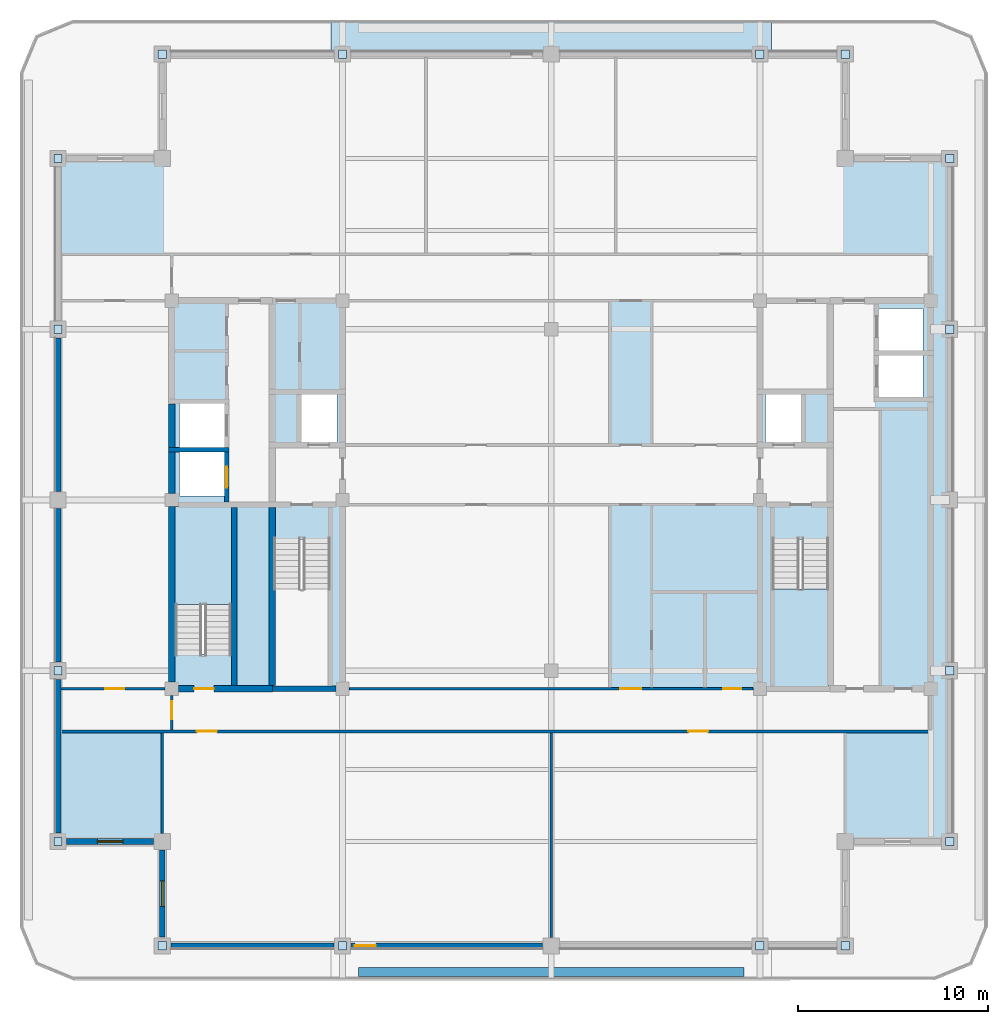
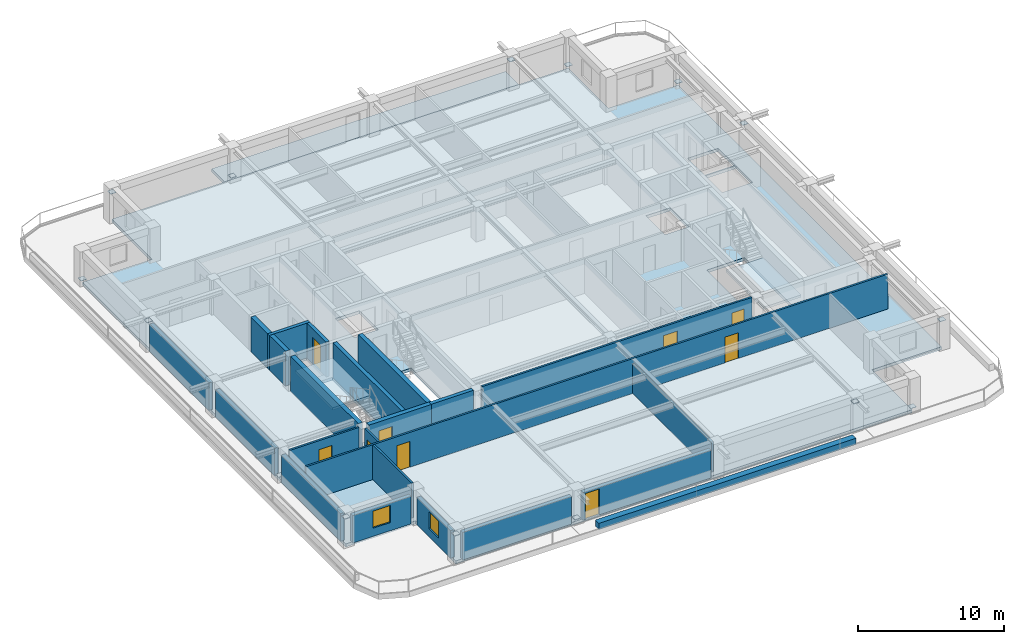
# One storey, part 2 of 10: 23 walls, 16 plates, 9 doors, 4 slabs, 2 windows, 11 openings, 2 elements without a shape of their own.
"""IFC4 building model written with IfcOpenShell, lengths in metres."""

from ifc_helpers import new_model, si_unit, direction, frame, frame_2d, origin, origin_2d, place, context, subcontext, project, spatial, polyline, rectangle, outline, extrude, material, layer, layer_set, type_object, element, fill, aggregate, save


model = new_model("IFC4")

# Units and contexts
model_context = context("Model", 3, precision=1e-05, world=origin(), true_north=direction((0.0, 1.0)))
body_context = subcontext(model_context, "Body", "Model", "MODEL_VIEW")
ifc_project = project(units=[si_unit("LENGTHUNIT", "METRE"), si_unit("AREAUNIT", "SQUARE_METRE"), si_unit("VOLUMEUNIT", "CUBIC_METRE"), si_unit("PLANEANGLEUNIT", "RADIAN"), si_unit("MASSUNIT", "GRAM", prefix="KILO")], contexts=[model_context])

# Site, building, storey
site_placement = place(None, origin())
site = spatial("IfcSite", under=ifc_project, at=site_placement, CompositionType="ELEMENT")
building_placement = place(site_placement, origin())
building = spatial("IfcBuilding", under=site, at=building_placement, Name="Zulmaris Gate Convention Tower", CompositionType="ELEMENT")
storey_placement = place(building_placement, frame((0.0, 0.0, 267.35009765625)))
storey = spatial("IfcBuildingStorey", under=building, at=storey_placement, Name="L71", CompositionType="ELEMENT", Elevation=267.35009765625)

# Plates
ifc_material_1 = material(Name="Steel S460", Category="steel")
ifc_layer_1 = layer(ifc_material_1, 0.02490234375, Name="Steel S460")
ifc_layer_set_1 = layer_set([ifc_layer_1], Name="Steel S460")
plate_type = type_object("IfcPlateType", Name="NP-CAP-440", PredefinedType="USERDEFINED", material=ifc_layer_set_1)
for number, where, z_axis, x_axis, name in (
    (1, (-26.0, -9.0, 0.28759765625), (0.0, 0.0, 1.0), (1.0, 0.0, 0.0), "L71 Steel Node Plate PBR-L71-SW-W-CAP"),
    (2, (-26.0, -18.0, 2.2724609375), (0.0, 0.0, 1.0), (1.0, 0.0, 0.0), "L71 Steel Node Plate PBR-L71-SW-W-CAPB"),
    (3, (-26.0, 18.0, 0.28759765625), (0.0, 0.0, 1.0), (1.0, 0.0, 0.0), "L71 Steel Node Plate PBR-L71-NW-W-CAP"),
    (4, (-26.0, 9.0, 2.2724609375), (0.0, 0.0, 1.0), (1.0, 0.0, 0.0), "L71 Steel Node Plate PBR-L71-NW-W-CAPB"),
    (5, (21.0, -9.0, 0.28759765625), (0.0, 0.0, 1.0), (1.0, 0.0, 0.0), "L71 Steel Node Plate PBR-L71-SE-E-CAP"),
    (6, (21.0, -18.0, 2.2724609375), (0.0, 0.0, 1.0), (1.0, 0.0, 0.0), "L71 Steel Node Plate PBR-L71-SE-E-CAPB"),
    (7, (21.0, 18.0, 0.28759765625), (0.0, 0.0, 1.0), (1.0, 0.0, 0.0), "L71 Steel Node Plate PBR-L71-NE-E-CAP"),
    (8, (21.0, 9.0, 2.2724609375), (0.0, 0.0, 1.0), (1.0, 0.0, 0.0), "L71 Steel Node Plate PBR-L71-NE-E-CAPB"),
    (9, (-11.0, -23.5, 0.28759765625), (0.0, 0.0, 1.0), (1.0, 0.0, 0.0), "L71 Steel Node Plate PBR-L71-SW-S-CAP"),
    (10, (-20.5, -23.5, 2.2724609375), (0.0, 0.0, 1.0), (1.0, 0.0, 0.0), "L71 Steel Node Plate PBR-L71-SW-S-CAPB"),
    (11, (15.5, -23.5, 0.28759765625), (0.0, 0.0, 1.0), (1.0, 0.0, 0.0), "L71 Steel Node Plate PBR-L71-SE-S-CAP"),
    (12, (11.0, -23.5, 2.2724609375), (0.0, 0.0, 1.0), (1.0, 0.0, 0.0), "L71 Steel Node Plate PBR-L71-SE-S-CAPB"),
    (13, (-11.0, 23.5, 0.28759765625), (0.0, 0.0, 1.0), (1.0, 0.0, 0.0), "L71 Steel Node Plate PBR-L71-NW-N-CAP"),
    (14, (-20.5, 23.5, 2.2724609375), (0.0, 0.0, 1.0), (1.0, 0.0, 0.0), "L71 Steel Node Plate PBR-L71-NW-N-CAPB"),
    (15, (15.5, 23.5, 0.28759765625), (0.0, 0.0, 1.0), (1.0, 0.0, 0.0), "L71 Steel Node Plate PBR-L71-NE-N-CAP"),
    (16, (11.0, 23.5, 2.2724609375), (0.0, 0.0, 1.0), (1.0, 0.0, 0.0), "L71 Steel Node Plate PBR-L71-NE-N-CAPB"),
):
    element("IfcPlate", number, at=place(storey_placement, frame(where, z_axis=z_axis, x_axis=x_axis)), inside=storey, type_object=plate_type, Name=name, ObjectType="FLANGE PLATE", PredefinedType="USERDEFINED", context=body_context, shape_type="SweptSolid", body=[
        extrude(rectangle(XDim=0.43994140625, YDim=0.43994140625, at=origin_2d()), origin(), (0.0, 0.0, 1.0), 0.02490234375),
    ])

# Slabs
ifc_material_2 = material(Name="Precast concrete C50/60", Category="concrete")
ifc_layer_2 = layer(ifc_material_2, 0.239990234375, Name="Precast concrete C50/60")
ifc_layer_set_2 = layer_set([ifc_layer_2], Name="Precast concrete C50/60")
slab_type_1 = type_object("IfcSlabType", Name="SL-BAL-240", PredefinedType="FLOOR", material=ifc_layer_set_2)
slab_1_placement = place(storey_placement, frame((0.0, 0.0, -0.25)))
element("IfcSlab", 17, at=slab_1_placement, inside=storey, type_object=slab_type_1, Name="L71 North Tree-Balcony Planter Slab", PredefinedType="FLOOR", context=body_context, shape_type="SweptSolid", body=[
    extrude(outline(polyline([(11.597900390625, 25.300048828125), (11.597900390625, 23.5), (-11.597900390625, 23.5), (-11.597900390625, 25.300048828125), (11.597900390625, 25.300048828125)])), origin(), (0.0, 0.0, 1.0), 0.239990234375),
])
ifc_material_3 = material(Name="Concrete C50/60", Category="concrete")
ifc_layer_3 = layer(ifc_material_3, 0.25, Name="Concrete C50/60")
ifc_layer_set_3 = layer_set([ifc_layer_3], Name="Concrete C50/60")
slab_type_2 = type_object("IfcSlabType", Name="SL-FLR-250", PredefinedType="FLOOR", material=ifc_layer_set_3)
slab_2_placement = place(storey_placement, frame((0.0, 0.0, -0.25)))
element("IfcSlab", 18, at=slab_2_placement, inside=storey, type_object=slab_type_2, Name="L71 Shifted Notched-Square Structural Floor Slab", PredefinedType="FLOOR", context=body_context, shape_type="SweptSolid", body=[
    extrude(outline(polyline([(-20.5, -23.5), (15.5, -23.5), (15.5, -18.0), (21.0, -18.0), (21.0, 18.0), (15.5, 18.0), (15.5, 23.5), (-20.5, 23.5), (-20.5, 18.0), (-26.0, 18.0), (-26.0, -18.0), (-20.5, -18.0), (-20.5, -23.5)]), holes=[polyline([(-14.6201171875, -2.080078125), (-14.6201171875, -9.85009765625), (-11.659912109375, -9.85009765625), (-11.659912109375, -2.080078125), (-14.6201171875, -2.080078125)]), polyline([(11.659912109375, -2.080078125), (11.659912109375, -9.85009765625), (14.6201171875, -9.85009765625), (14.6201171875, -2.080078125), (11.659912109375, -2.080078125)]), polyline([(-16.860107421875, -8.1201171875), (-16.860107421875, -0.35009765625), (-19.820068359375, -0.35009765625), (-19.820068359375, -8.1201171875), (-16.860107421875, -8.1201171875)]), polyline([(-13.199951171875, 3.0), (-11.300048828125, 3.0), (-11.300048828125, 5.60009765625), (-13.199951171875, 5.60009765625), (-13.199951171875, 3.0)]), polyline([(11.300048828125, 3.0), (13.199951171875, 3.0), (13.199951171875, 5.60009765625), (11.300048828125, 5.60009765625), (11.300048828125, 3.0)]), polyline([(17.199951171875, 5.39990234375), (19.60009765625, 5.39990234375), (19.60009765625, 7.699951171875), (17.199951171875, 7.699951171875), (17.199951171875, 5.39990234375)]), polyline([(17.199951171875, 7.800048828125), (19.60009765625, 7.800048828125), (19.60009765625, 10.10009765625), (17.199951171875, 10.10009765625), (17.199951171875, 7.800048828125)]), polyline([(-19.60009765625, 0.199951171875), (-17.199951171875, 0.199951171875), (-17.199951171875, 2.60009765625), (-19.60009765625, 2.60009765625), (-19.60009765625, 0.199951171875)]), polyline([(-19.60009765625, 2.699951171875), (-17.199951171875, 2.699951171875), (-17.199951171875, 5.10009765625), (-19.60009765625, 5.10009765625), (-19.60009765625, 2.699951171875)])]), origin(), (0.0, 0.0, 1.0), 0.25),
])

# Stair, slab
ifc_material_4 = material(Name="Concrete C45/55", Category="concrete")
stair_type = type_object("IfcStairType", Name="ST-CORE-DOGLEG", PredefinedType="HALF_TURN_STAIR", material=ifc_material_4)
stair_1_placement = place(storey_placement, origin())
stair_1 = element("IfcStair", 19, at=stair_1_placement, inside=storey, type_object=stair_type, Name="L71 Core Exit Stair ST-2", PredefinedType="HALF_TURN_STAIR")
ifc_layer_4 = layer(ifc_material_4, 0.199951171875, Name="Concrete C45/55")
ifc_layer_set_4 = layer_set([ifc_layer_4], Name="Concrete C45/55")
slab_type_3 = type_object("IfcSlabType", Name="SL-LND-200", PredefinedType="LANDING", material=ifc_layer_set_4)
slab_3_placement = place(storey_placement, frame((0.0, 0.0, 1.4150390625)))
slab_3 = element("IfcSlab", 20, at=slab_3_placement, type_object=slab_type_3, Name="ST-2 landing 1", PredefinedType="LANDING", context=body_context, shape_type="SweptSolid", body=[
    extrude(outline(polyline([(11.659912109375, -4.699951171875), (11.659912109375, -9.85009765625), (14.6201171875, -9.85009765625), (14.6201171875, -4.699951171875), (11.659912109375, -4.699951171875)])), origin(), (0.0, 0.0, 1.0), 0.199951171875),
])
aggregate(stair_1, [slab_3])

stair_2_placement = place(storey_placement, origin())
stair_2 = element("IfcStair", 21, at=stair_2_placement, inside=storey, type_object=stair_type, Name="L71 Core Exit Stair ST-3", PredefinedType="HALF_TURN_STAIR")
slab_4_placement = place(storey_placement, frame((0.0, 0.0, 1.4150390625)))
slab_4 = element("IfcSlab", 22, at=slab_4_placement, type_object=slab_type_3, Name="ST-3 landing 1", PredefinedType="LANDING", context=body_context, shape_type="SweptSolid", body=[
    extrude(outline(polyline([(-16.860107421875, -5.5), (-16.860107421875, -0.35009765625), (-19.820068359375, -0.35009765625), (-19.820068359375, -5.5), (-16.860107421875, -5.5)])), origin(), (0.0, 0.0, 1.0), 0.199951171875),
])
aggregate(stair_2, [slab_4])

# Wall
ifc_layer_5 = layer(ifc_material_3, 0.25, Name="Concrete C50/60")
ifc_layer_set_5 = layer_set([ifc_layer_5], Name="Concrete C50/60")
wall_type_1 = type_object("IfcWallType", Name="CORE-250", PredefinedType="SOLIDWALL", material=ifc_layer_set_5)
wall_1_placement = place(storey_placement, frame((-20.175048828125, 2.64990234375, 0.0), z_axis=(0.0, 0.0, 1.0), x_axis=(1.0, 0.0, 0.0)))
element("IfcWall", 23, at=wall_1_placement, inside=storey, type_object=wall_type_1, Name="WL-L71-007", PredefinedType="SOLIDWALL", context=body_context, shape_type="SweptSolid", body=[
    extrude(rectangle(XDim=3.199951171875, YDim=0.25, at=frame_2d((1.60009765625, 0.0))), origin(), (0.0, 0.0, 1.0), 2.905029296875),
])

# Wall, opening, door
wall_2_placement = place(storey_placement, frame((-17.10009765625, -0.097900390625, 0.0), z_axis=(0.0, 0.0, 1.0), x_axis=(0.0, 1.0, 0.0)))
wall_2 = element("IfcWall", 24, at=wall_2_placement, inside=storey, type_object=wall_type_1, Name="WL-L71-034", PredefinedType="SOLIDWALL", context=body_context, shape_type="SweptSolid", body=[
    extrude(rectangle(XDim=2.620849609375, YDim=0.25, at=frame_2d((1.310546875, 0.0))), origin(), (0.0, 0.0, 1.0), 2.905029296875),
])
opening_1_placement = place(wall_2_placement, frame((0.748046875, 0.0, 0.0)))
opening_1 = element("IfcOpeningElement", 25, at=opening_1_placement, cuts=wall_2, Name="Opening D-06", PredefinedType="OPENING", context=body_context, shape_type="SweptSolid", body=[
    extrude(rectangle(XDim=1.10009765625, YDim=2.199951171875, at=frame_2d((0.550048828125, 1.10009765625))), frame((0.0, 0.135009765625, 0.0), z_axis=(0.0, -1.0, 0.0), x_axis=(1.0, 0.0, 0.0)), (0.0, 0.0, 1.0), 0.27001953125),
])
ifc_material_5 = material(Name="Brushed Stainless Steel", Category="steel")
door_type_1 = type_object("IfcDoorType", Name="LD-1100", OperationType="NOTDEFINED", PredefinedType="DOOR", material=ifc_material_5)
door_1_placement = place(opening_1_placement, origin())
door_1 = element("IfcDoor", 26, at=door_1_placement, inside=storey, type_object=door_type_1, Name="L71 Lift Landing Door HP-03 11", OperationType="SLIDING_TO_LEFT", OverallHeight=2.199951171875, OverallWidth=1.10009765625, PredefinedType="DOOR", context=body_context, shape_type="SweptSolid", body=[
    extrude(rectangle(XDim=1.10009765625, YDim=2.199951171875, at=frame_2d((0.550048828125, 1.10009765625))), frame((0.0, 0.02490234375, 0.0), z_axis=(0.0, -1.0, 0.0), x_axis=(1.0, 0.0, 0.0)), (0.0, 0.0, 1.0), 0.050048828125),
])
fill(opening_1, door_1)

# Walls
ifc_layer_6 = layer(ifc_material_3, 0.300048828125, Name="Concrete C50/60")
ifc_layer_set_6 = layer_set([ifc_layer_6], Name="Concrete C50/60")
wall_type_2 = type_object("IfcWallType", Name="CORE-300", PredefinedType="SHEAR", material=ifc_layer_set_6)
wall_3_placement = place(storey_placement, frame((-14.699951171875, -9.949951171875, 0.0), z_axis=(0.0, 0.0, 1.0), x_axis=(1.0, 0.0, 0.0)))
element("IfcWall", 27, at=wall_3_placement, inside=storey, type_object=wall_type_2, Name="WL-L71-002", PredefinedType="SHEAR", context=body_context, shape_type="SweptSolid", body=[
    extrude(rectangle(XDim=3.345947265625, YDim=0.300048828125, at=frame_2d((1.6728515625, 0.0))), origin(), (0.0, 0.0, 1.0), 2.905029296875),
])
wall_4_placement = place(storey_placement, frame((-16.699951171875, -9.77294921875, 0.0), z_axis=(0.0, 0.0, 1.0), x_axis=(0.0, 1.0, 0.0)))
element("IfcWall", 28, at=wall_4_placement, inside=storey, type_object=wall_type_2, Name="WL-L71-036", PredefinedType="SHEAR", context=body_context, shape_type="SweptSolid", body=[
    extrude(rectangle(XDim=9.370849609375, YDim=0.300048828125, at=frame_2d((4.685546875, 0.0))), origin(), (0.0, 0.0, 1.0), 2.905029296875),
])

# Wall, opening, door
ifc_material_6 = material(Name="Concrete C55/67", Category="concrete")
ifc_layer_7 = layer(ifc_material_6, 0.35009765625, Name="Concrete C55/67")
ifc_layer_set_7 = layer_set([ifc_layer_7], Name="Concrete C55/67")
wall_type_3 = type_object("IfcWallType", Name="CORE-350", PredefinedType="SHEAR", material=ifc_layer_set_7)
wall_5_placement = place(storey_placement, frame((-19.64599609375, -9.949951171875, 0.0), z_axis=(0.0, 0.0, 1.0), x_axis=(1.0, 0.0, 0.0)))
wall_5 = element("IfcWall", 29, at=wall_5_placement, inside=storey, type_object=wall_type_3, Name="WL-L71-001", PredefinedType="SHEAR", context=body_context, shape_type="SweptSolid", body=[
    extrude(rectangle(XDim=4.946044921875, YDim=0.35009765625, at=frame_2d((2.47314453125, 0.0))), origin(), (0.0, 0.0, 1.0), 2.905029296875),
])
opening_2_placement = place(wall_5_placement, frame((0.821044921875, 0.0, 0.0)))
opening_2 = element("IfcOpeningElement", 30, at=opening_2_placement, cuts=wall_5, Name="Opening D-09", PredefinedType="OPENING", context=body_context, shape_type="SweptSolid", body=[
    extrude(rectangle(XDim=1.050048828125, YDim=2.14990234375, at=frame_2d((0.52490234375, 1.074951171875))), frame((0.0, 0.18505859375, 0.0), z_axis=(0.0, -1.0, 0.0), x_axis=(1.0, 0.0, 0.0)), (0.0, 0.0, 1.0), 0.3701171875),
])
ifc_material_7 = material(Name="Fire-Rated Steel", Category="steel")
door_type_2 = type_object("IfcDoorType", Name="DR-1050-FD", OperationType="NOTDEFINED", PredefinedType="DOOR", material=ifc_material_7)
door_2_placement = place(opening_2_placement, origin())
door_2 = element("IfcDoor", 31, at=door_2_placement, inside=storey, type_object=door_type_2, Name="L71 Exit Stair ST-3 Door 10", OperationType="SINGLE_SWING_LEFT", OverallHeight=2.14990234375, OverallWidth=1.050048828125, PredefinedType="DOOR", context=body_context, shape_type="SweptSolid", body=[
    extrude(rectangle(XDim=1.050048828125, YDim=2.14990234375, at=frame_2d((0.52490234375, 1.074951171875))), frame((0.0, 0.02490234375, 0.0), z_axis=(0.0, -1.0, 0.0), x_axis=(1.0, 0.0, 0.0)), (0.0, 0.0, 1.0), 0.050048828125),
])
fill(opening_2, door_2)

# Walls
wall_6_placement = place(storey_placement, frame((-20.0, -9.595947265625, 0.0), z_axis=(0.0, 0.0, 1.0), x_axis=(0.0, 1.0, 0.0)))
element("IfcWall", 32, at=wall_6_placement, inside=storey, type_object=wall_type_3, Name="WL-L71-030", PredefinedType="SHEAR", context=body_context, shape_type="SweptSolid", body=[
    extrude(rectangle(XDim=9.241943359375, YDim=0.35009765625, at=frame_2d((4.62109375, 0.0))), origin(), (0.0, 0.0, 1.0), 2.905029296875),
])
wall_7_placement = place(storey_placement, frame((-20.0, 0.35400390625, 0.0), z_axis=(0.0, 0.0, 1.0), x_axis=(0.0, 1.0, 0.0)))
element("IfcWall", 33, at=wall_7_placement, inside=storey, type_object=wall_type_3, Name="WL-L71-031", PredefinedType="SHEAR", context=body_context, shape_type="SweptSolid", body=[
    extrude(rectangle(XDim=2.1689453125, YDim=0.35009765625, at=frame_2d((1.08447265625, 0.0))), origin(), (0.0, 0.0, 1.0), 2.905029296875),
])
wall_8_placement = place(storey_placement, frame((-20.0, 2.777099609375, 0.0), z_axis=(0.0, 0.0, 1.0), x_axis=(0.0, 1.0, 0.0)))
element("IfcWall", 34, at=wall_8_placement, inside=storey, type_object=wall_type_3, Name="WL-L71-032", PredefinedType="SHEAR", context=body_context, shape_type="SweptSolid", body=[
    extrude(rectangle(XDim=2.2958984375, YDim=0.35009765625, at=frame_2d((1.14794921875, 0.0))), origin(), (0.0, 0.0, 1.0), 2.905029296875),
])
wall_9_placement = place(storey_placement, frame((-14.699951171875, -9.77294921875, 0.0), z_axis=(0.0, 0.0, 1.0), x_axis=(0.0, 1.0, 0.0)))
element("IfcWall", 35, at=wall_9_placement, inside=storey, type_object=wall_type_3, Name="WL-L71-037", PredefinedType="SHEAR", context=body_context, shape_type="SweptSolid", body=[
    extrude(rectangle(XDim=9.370849609375, YDim=0.35009765625, at=frame_2d((4.685546875, 0.0))), origin(), (0.0, 0.0, 1.0), 2.905029296875),
])

# Wall, openings, doors
ifc_material_8 = material(Name="Gypsum Metal Stud Partition")
ifc_layer_8 = layer(ifc_material_8, 0.14990234375, Name="Gypsum Metal Stud Partition")
ifc_layer_set_8 = layer_set([ifc_layer_8], Name="Gypsum Metal Stud Partition")
wall_type_4 = type_object("IfcWallType", Name="PART-150", PredefinedType="PARTITIONING", material=ifc_layer_set_8)
wall_10_placement = place(storey_placement, frame((-25.8349609375, -12.199951171875, 0.0), z_axis=(0.0, 0.0, 1.0), x_axis=(1.0, 0.0, 0.0)))
wall_10 = element("IfcWall", 36, at=wall_10_placement, inside=storey, type_object=wall_type_4, Name="WL-L71-019", PredefinedType="PARTITIONING", context=body_context, shape_type="SweptSolid", body=[
    extrude(rectangle(XDim=45.909912109375, YDim=0.14990234375, at=frame_2d((22.955078125, 0.0))), origin(), (0.0, 0.0, 1.0), 2.905029296875),
])
opening_3_placement = place(wall_10_placement, frame((7.159912109375, 0.0, 0.0)))
opening_3 = element("IfcOpeningElement", 37, at=opening_3_placement, cuts=wall_10, Name="Opening D-09", PredefinedType="OPENING", context=body_context, shape_type="SweptSolid", body=[
    extrude(rectangle(XDim=1.050048828125, YDim=2.14990234375, at=frame_2d((0.52490234375, 1.074951171875))), frame((0.0, 0.0849609375, 0.0), z_axis=(0.0, -1.0, 0.0), x_axis=(1.0, 0.0, 0.0)), (0.0, 0.0, 1.0), 0.169921875),
])
opening_4_placement = place(wall_10_placement, frame((33.06005859375, 0.0, 0.0)))
opening_4 = element("IfcOpeningElement", 38, at=opening_4_placement, cuts=wall_10, Name="Opening D-09", PredefinedType="OPENING", context=body_context, shape_type="SweptSolid", body=[
    extrude(rectangle(XDim=1.050048828125, YDim=2.14990234375, at=frame_2d((0.52490234375, 1.074951171875))), frame((0.0, 0.0849609375, 0.0), z_axis=(0.0, -1.0, 0.0), x_axis=(1.0, 0.0, 0.0)), (0.0, 0.0, 1.0), 0.169921875),
])
door_3_placement = place(opening_3_placement, origin())
door_3 = element("IfcDoor", 39, at=door_3_placement, inside=storey, type_object=door_type_2, Name="L71 Partner Corner Office Door 28", OperationType="SINGLE_SWING_LEFT", OverallHeight=2.14990234375, OverallWidth=1.050048828125, PredefinedType="DOOR", context=body_context, shape_type="SweptSolid", body=[
    extrude(rectangle(XDim=1.050048828125, YDim=2.14990234375, at=frame_2d((0.52490234375, 1.074951171875))), frame((0.0, 0.02490234375, 0.0), z_axis=(0.0, -1.0, 0.0), x_axis=(1.0, 0.0, 0.0)), (0.0, 0.0, 1.0), 0.050048828125),
])
fill(opening_3, door_3)
door_4_placement = place(opening_4_placement, origin())
door_4 = element("IfcDoor", 40, at=door_4_placement, inside=storey, type_object=door_type_2, Name="L71 Advisory Suite Office Door 29", OperationType="SINGLE_SWING_RIGHT", OverallHeight=2.14990234375, OverallWidth=1.050048828125, PredefinedType="DOOR", context=body_context, shape_type="SweptSolid", body=[
    extrude(rectangle(XDim=1.050048828125, YDim=2.14990234375, at=frame_2d((0.52490234375, 1.074951171875))), frame((0.0, 0.02490234375, 0.0), z_axis=(0.0, -1.0, 0.0), x_axis=(1.0, 0.0, 0.0)), (0.0, 0.0, 1.0), 0.050048828125),
])
fill(opening_4, door_4)

# Wall, opening, door
wall_11_placement = place(storey_placement, frame((-25.8349609375, -9.949951171875, 0.0), z_axis=(0.0, 0.0, 1.0), x_axis=(1.0, 0.0, 0.0)))
wall_11 = element("IfcWall", 41, at=wall_11_placement, inside=storey, type_object=wall_type_4, Name="WL-L71-020", PredefinedType="PARTITIONING", context=body_context, shape_type="SweptSolid", body=[
    extrude(rectangle(XDim=5.47900390625, YDim=0.14990234375, at=frame_2d((2.739501953125, 0.0))), origin(), (0.0, 0.0, 1.0), 2.905029296875),
])
opening_5_placement = place(wall_11_placement, frame((2.3349609375, 0.0, 0.0)))
opening_5 = element("IfcOpeningElement", 42, at=opening_5_placement, cuts=wall_11, Name="Opening D-10", PredefinedType="OPENING", context=body_context, shape_type="SweptSolid", body=[
    extrude(rectangle(XDim=1.0, YDim=2.14990234375, at=frame_2d((0.5, 1.074951171875))), frame((0.0, 0.0849609375, 0.0), z_axis=(0.0, -1.0, 0.0), x_axis=(1.0, 0.0, 0.0)), (0.0, 0.0, 1.0), 0.169921875),
])
ifc_material_9 = material(Name="Fire-Rated Timber", Category="wood")
door_type_3 = type_object("IfcDoorType", Name="DR-1000-FD", OperationType="NOTDEFINED", PredefinedType="DOOR", material=ifc_material_9)
door_5_placement = place(opening_5_placement, origin())
door_5 = element("IfcDoor", 43, at=door_5_placement, inside=storey, type_object=door_type_3, Name="L71 West Workplace South Door 39", OperationType="SINGLE_SWING_RIGHT", OverallHeight=2.14990234375, OverallWidth=1.0, PredefinedType="DOOR", context=body_context, shape_type="SweptSolid", body=[
    extrude(rectangle(XDim=1.0, YDim=2.14990234375, at=frame_2d((0.5, 1.074951171875))), frame((0.0, 0.02490234375, 0.0), z_axis=(0.0, -1.0, 0.0), x_axis=(1.0, 0.0, 0.0)), (0.0, 0.0, 1.0), 0.050048828125),
])
fill(opening_5, door_5)

# Wall, openings, doors
wall_12_placement = place(storey_placement, frame((-10.64404296875, -9.949951171875, 0.0), z_axis=(0.0, 0.0, 1.0), x_axis=(1.0, 0.0, 0.0)))
wall_12 = element("IfcWall", 44, at=wall_12_placement, inside=storey, type_object=wall_type_4, Name="WL-L71-021", PredefinedType="PARTITIONING", context=body_context, shape_type="SweptSolid", body=[
    extrude(rectangle(XDim=21.2880859375, YDim=0.14990234375, at=frame_2d((10.64404296875, 0.0))), origin(), (0.0, 0.0, 1.0), 2.905029296875),
])
opening_6_placement = place(wall_12_placement, frame((14.2939453125, 0.0, 0.0)))
opening_6 = element("IfcOpeningElement", 45, at=opening_6_placement, cuts=wall_12, Name="Opening D-08", PredefinedType="OPENING", context=body_context, shape_type="SweptSolid", body=[
    extrude(rectangle(XDim=1.10009765625, YDim=2.14990234375, at=frame_2d((0.550048828125, 1.074951171875))), frame((0.0, 0.0849609375, 0.0), z_axis=(0.0, -1.0, 0.0), x_axis=(1.0, 0.0, 0.0)), (0.0, 0.0, 1.0), 0.169921875),
])
opening_7_placement = place(wall_12_placement, frame((19.718994140625, 0.0, 0.0)))
opening_7 = element("IfcOpeningElement", 46, at=opening_7_placement, cuts=wall_12, Name="Opening D-11", PredefinedType="OPENING", context=body_context, shape_type="SweptSolid", body=[
    extrude(rectangle(XDim=0.949951171875, YDim=2.14990234375, at=frame_2d((0.47509765625, 1.074951171875))), frame((0.0, 0.0849609375, 0.0), z_axis=(0.0, -1.0, 0.0), x_axis=(1.0, 0.0, 0.0)), (0.0, 0.0, 1.0), 0.169921875),
])
door_type_4 = type_object("IfcDoorType", Name="DR-1100-FD", OperationType="NOTDEFINED", PredefinedType="DOOR", material=ifc_material_7)
door_6_placement = place(opening_6_placement, origin())
door_6 = element("IfcDoor", 47, at=door_6_placement, inside=storey, type_object=door_type_4, Name="L71 Exec South Link Door 22", OperationType="SINGLE_SWING_LEFT", OverallHeight=2.14990234375, OverallWidth=1.10009765625, PredefinedType="DOOR", context=body_context, shape_type="SweptSolid", body=[
    extrude(rectangle(XDim=1.10009765625, YDim=2.14990234375, at=frame_2d((0.550048828125, 1.074951171875))), frame((0.0, 0.02490234375, 0.0), z_axis=(0.0, -1.0, 0.0), x_axis=(1.0, 0.0, 0.0)), (0.0, 0.0, 1.0), 0.050048828125),
])
fill(opening_6, door_6)
door_type_5 = type_object("IfcDoorType", Name="DR-950-FD", OperationType="NOTDEFINED", PredefinedType="DOOR", material=ifc_material_9)
door_7_placement = place(opening_7_placement, origin())
door_7 = element("IfcDoor", 48, at=door_7_placement, inside=storey, type_object=door_type_5, Name="L71 Vault Store Door 35", OperationType="SINGLE_SWING_RIGHT", OverallHeight=2.14990234375, OverallWidth=0.949951171875, PredefinedType="DOOR", context=body_context, shape_type="SweptSolid", body=[
    extrude(rectangle(XDim=0.949951171875, YDim=2.14990234375, at=frame_2d((0.47509765625, 1.074951171875))), frame((0.0, 0.02490234375, 0.0), z_axis=(0.0, -1.0, 0.0), x_axis=(1.0, 0.0, 0.0)), (0.0, 0.0, 1.0), 0.050048828125),
])
fill(opening_7, door_7)

# Wall
wall_13_placement = place(storey_placement, frame((-20.5, -17.569091796875, 0.0), z_axis=(0.0, 0.0, 1.0), x_axis=(0.0, 1.0, 0.0)))
element("IfcWall", 49, at=wall_13_placement, inside=storey, type_object=wall_type_4, Name="WL-L71-062", PredefinedType="PARTITIONING", context=body_context, shape_type="SweptSolid", body=[
    extrude(rectangle(XDim=5.291015625, YDim=0.14990234375, at=frame_2d((2.6455078125, 0.0))), origin(), (0.0, 0.0, 1.0), 2.905029296875),
])

# Wall, opening, door
wall_14_placement = place(storey_placement, frame((-20.0, -12.1220703125, 0.0), z_axis=(0.0, 0.0, 1.0), x_axis=(0.0, 1.0, 0.0)))
wall_14 = element("IfcWall", 50, at=wall_14_placement, inside=storey, type_object=wall_type_4, Name="WL-L71-063", PredefinedType="PARTITIONING", context=body_context, shape_type="SweptSolid", body=[
    extrude(rectangle(XDim=1.816162109375, YDim=0.14990234375, at=frame_2d((0.908203125, 0.0))), origin(), (0.0, 0.0, 1.0), 2.905029296875),
])
opening_8_placement = place(wall_14_placement, frame((0.576904296875, 0.0, 0.0)))
opening_8 = element("IfcOpeningElement", 51, at=opening_8_placement, cuts=wall_14, Name="Opening D-11", PredefinedType="OPENING", context=body_context, shape_type="SweptSolid", body=[
    extrude(rectangle(XDim=0.949951171875, YDim=2.14990234375, at=frame_2d((0.47509765625, 1.074951171875))), frame((0.0, 0.0849609375, 0.0), z_axis=(0.0, -1.0, 0.0), x_axis=(1.0, 0.0, 0.0)), (0.0, 0.0, 1.0), 0.169921875),
])
door_8_placement = place(opening_8_placement, origin())
door_8 = element("IfcDoor", 52, at=door_8_placement, inside=storey, type_object=door_type_5, Name="L71 SW Spur Door 37", OperationType="SINGLE_SWING_RIGHT", OverallHeight=2.14990234375, OverallWidth=0.949951171875, PredefinedType="DOOR", context=body_context, shape_type="SweptSolid", body=[
    extrude(rectangle(XDim=0.949951171875, YDim=2.14990234375, at=frame_2d((0.47509765625, 1.074951171875))), frame((0.0, 0.02490234375, 0.0), z_axis=(0.0, -1.0, 0.0), x_axis=(1.0, 0.0, 0.0)), (0.0, 0.0, 1.0), 0.050048828125),
])
fill(opening_8, door_8)

# Walls
wall_15_placement = place(storey_placement, frame((0.0, -23.069091796875, 0.0), z_axis=(0.0, 0.0, 1.0), x_axis=(0.0, 1.0, 0.0)))
element("IfcWall", 53, at=wall_15_placement, inside=storey, type_object=wall_type_4, Name="WL-L71-069", PredefinedType="PARTITIONING", context=body_context, shape_type="SweptSolid", body=[
    extrude(rectangle(XDim=10.791015625, YDim=0.14990234375, at=frame_2d((5.3955078125, 0.0))), origin(), (0.0, 0.0, 1.0), 2.4951171875),
])
ifc_material_10 = material(Name="Botanical Green Glazed Precast Concrete C40/50", Category="concrete")
ifc_layer_9 = layer(ifc_material_10, 0.419921875, Name="Botanical Green Glazed Precast Concrete C40/50")
ifc_layer_set_9 = layer_set([ifc_layer_9], Name="Botanical Green Glazed Precast Concrete C40/50")
wall_type_5 = type_object("IfcWallType", Name="PLANTER-CURB-200", PredefinedType="PARAPET", material=ifc_layer_set_9)
wall_16_placement = place(storey_placement, frame((-10.14990234375, -24.8798828125, -0.0400390625), z_axis=(0.0, 0.0, 1.0), x_axis=(1.0, 0.0, 0.0)))
element("IfcWall", 54, at=wall_16_placement, inside=storey, type_object=wall_type_5, Name="L71 Full-Length Balcony Tree Planter Trough", PredefinedType="PARAPET", context=body_context, shape_type="SweptSolid", body=[
    extrude(rectangle(XDim=20.2998046875, YDim=0.47998046875, at=frame_2d((10.14990234375, 0.0))), origin(), (0.0, 0.0, 1.0), 0.52001953125),
])

# Wall, opening, window
ifc_material_11 = material(Name="Precast concrete C40/50", Category="concrete")
ifc_layer_10 = layer(ifc_material_11, 0.300048828125, Name="Precast concrete C40/50")
ifc_layer_set_10 = layer_set([ifc_layer_10], Name="Precast concrete C40/50")
wall_type_6 = type_object("IfcWallType", Name="PRECAST-PIER-300", PredefinedType="STANDARD", material=ifc_layer_set_10)
wall_17_placement = place(storey_placement, frame((-25.544921875, -18.0, 0.0), z_axis=(0.0, 0.0, 1.0), x_axis=(1.0, 0.0, 0.0)))
wall_17 = element("IfcWall", 55, at=wall_17_placement, inside=storey, type_object=wall_type_6, Name="EW-L71-NOTCH-SW1_0", PredefinedType="STANDARD", context=body_context, shape_type="SweptSolid", body=[
    extrude(rectangle(XDim=4.58984375, YDim=0.300048828125, at=frame_2d((2.294921875, 0.0))), origin(), (0.0, 0.0, 1.0), 2.297119140625),
])
opening_9_placement = place(wall_17_placement, frame((1.6201171875, 0.0, 0.679931640625)))
opening_9 = element("IfcOpeningElement", 56, at=opening_9_placement, cuts=wall_17, Name="Opening W-10", PredefinedType="OPENING", context=body_context, shape_type="SweptSolid", body=[
    extrude(rectangle(XDim=1.35009765625, YDim=1.419921875, at=frame_2d((0.675048828125, 0.7099609375))), frame((0.0, 0.16015625, 0.0), z_axis=(0.0, -1.0, 0.0), x_axis=(1.0, 0.0, 0.0)), (0.0, 0.0, 1.0), 0.320068359375),
])
ifc_material_12 = material(Name="Low-E Laminated Double Glazing in Aluminium Frame", Category="aluminium")
window_type = type_object("IfcWindowType", Name="WIN-1350x2000", PartitioningType="SINGLE_PANEL", PredefinedType="WINDOW", material=ifc_material_12)
window_1_placement = place(opening_9_placement, origin())
window_1 = element("IfcWindow", 57, at=window_1_placement, inside=storey, type_object=window_type, Name="WN-EW-L71-NOTCH-SW1_0", OverallHeight=1.419921875, OverallWidth=1.35009765625, PartitioningType="SINGLE_PANEL", PredefinedType="WINDOW", context=body_context, shape_type="SweptSolid", body=[
    extrude(rectangle(XDim=1.35009765625, YDim=1.419921875, at=frame_2d((0.675048828125, 0.7099609375))), frame((0.0, 0.030029296875, 0.0), z_axis=(0.0, -1.0, 0.0), x_axis=(1.0, 0.0, 0.0)), (0.0, 0.0, 1.0), 0.06005859375),
])
fill(opening_9, window_1)

wall_18_placement = place(storey_placement, frame((-20.5, -18.455078125, 0.0), z_axis=(0.0, 0.0, 1.0), x_axis=(0.0, -1.0, 0.0)))
wall_18 = element("IfcWall", 58, at=wall_18_placement, inside=storey, type_object=wall_type_6, Name="EW-L71-NOTCH-SW2_0", PredefinedType="STANDARD", context=body_context, shape_type="SweptSolid", body=[
    extrude(rectangle(XDim=4.58984375, YDim=0.300048828125, at=frame_2d((2.294921875, 0.0))), origin(), (0.0, 0.0, 1.0), 2.297119140625),
])
opening_10_placement = place(wall_18_placement, frame((1.6201171875, 0.0, 0.679931640625)))
opening_10 = element("IfcOpeningElement", 59, at=opening_10_placement, cuts=wall_18, Name="Opening W-10", PredefinedType="OPENING", context=body_context, shape_type="SweptSolid", body=[
    extrude(rectangle(XDim=1.35009765625, YDim=1.419921875, at=frame_2d((0.675048828125, 0.7099609375))), frame((0.0, 0.16015625, 0.0), z_axis=(0.0, -1.0, 0.0), x_axis=(1.0, 0.0, 0.0)), (0.0, 0.0, 1.0), 0.320068359375),
])
window_2_placement = place(opening_10_placement, origin())
window_2 = element("IfcWindow", 60, at=window_2_placement, inside=storey, type_object=window_type, Name="WN-EW-L71-NOTCH-SW2_0", OverallHeight=1.419921875, OverallWidth=1.35009765625, PartitioningType="SINGLE_PANEL", PredefinedType="WINDOW", context=body_context, shape_type="SweptSolid", body=[
    extrude(rectangle(XDim=1.35009765625, YDim=1.419921875, at=frame_2d((0.675048828125, 0.7099609375))), frame((0.0, 0.030029296875, 0.0), z_axis=(0.0, -1.0, 0.0), x_axis=(1.0, 0.0, 0.0)), (0.0, 0.0, 1.0), 0.06005859375),
])
fill(opening_10, window_2)

# Wall
wall_19_placement = place(storey_placement, frame((-20.044921875, -23.5, 0.0), z_axis=(0.0, 0.0, 1.0), x_axis=(1.0, 0.0, 0.0)))
element("IfcWall", 61, at=wall_19_placement, inside=storey, type_object=wall_type_6, Name="EW-L71-S-0_0", PredefinedType="STANDARD", context=body_context, shape_type="SweptSolid", body=[
    extrude(rectangle(XDim=8.58984375, YDim=0.300048828125, at=frame_2d((4.294921875, 0.0))), origin(), (0.0, 0.0, 1.0), 2.297119140625),
])

# Wall, opening, door
wall_20_placement = place(storey_placement, frame((-10.544921875, -23.5, 0.0), z_axis=(0.0, 0.0, 1.0), x_axis=(1.0, 0.0, 0.0)))
wall_20 = element("IfcWall", 62, at=wall_20_placement, inside=storey, type_object=wall_type_6, Name="EW-L71-S-1_0", PredefinedType="STANDARD", context=body_context, shape_type="SweptSolid", body=[
    extrude(rectangle(XDim=10.08984375, YDim=0.300048828125, at=frame_2d((5.044921875, 0.0))), origin(), (0.0, 0.0, 1.0), 2.297119140625),
])
opening_11_placement = place(wall_20_placement, frame((0.199951171875, 0.0, 0.0)))
opening_11 = element("IfcOpeningElement", 63, at=opening_11_placement, cuts=wall_20, Name="Opening D-04", PredefinedType="OPENING", context=body_context, shape_type="SweptSolid", body=[
    extrude(rectangle(XDim=1.10009765625, YDim=2.14990234375, at=frame_2d((0.550048828125, 1.074951171875))), frame((0.0, 0.16015625, 0.0), z_axis=(0.0, -1.0, 0.0), x_axis=(1.0, 0.0, 0.0)), (0.0, 0.0, 1.0), 0.320068359375),
])
ifc_material_13 = material(Name="Anodised Aluminium and Laminated Glass", Category="aluminium")
door_type_6 = type_object("IfcDoorType", Name="ED-1100", OperationType="SINGLE_SWING_RIGHT", PredefinedType="DOOR", material=ifc_material_13)
door_9_placement = place(opening_11_placement, origin())
door_9 = element("IfcDoor", 64, at=door_9_placement, inside=storey, type_object=door_type_6, Name="L71 S Planted Terrace Door", OperationType="SINGLE_SWING_RIGHT", OverallHeight=2.14990234375, OverallWidth=1.10009765625, PredefinedType="DOOR", context=body_context, shape_type="SweptSolid", body=[
    extrude(rectangle(XDim=1.10009765625, YDim=2.14990234375, at=frame_2d((0.550048828125, 1.074951171875))), frame((0.0, 0.02490234375, 0.0), z_axis=(0.0, -1.0, 0.0), x_axis=(1.0, 0.0, 0.0)), (0.0, 0.0, 1.0), 0.050048828125),
])
fill(opening_11, door_9)

# Walls
for number, where, z_axis, x_axis, name in (
    (65, (-26.0, -9.455078125, 0.0), (0.0, 0.0, 1.0), (0.0, -1.0, 0.0), "EW-L71-W-0_0"),
    (66, (-26.0, -0.455078125, 0.0), (0.0, 0.0, 1.0), (0.0, -1.0, 0.0), "EW-L71-W-1_0"),
    (67, (-26.0, 8.544921875, 0.0), (0.0, 0.0, 1.0), (0.0, -1.0, 0.0), "EW-L71-W-2_0"),
):
    element("IfcWall", number, at=place(storey_placement, frame(where, z_axis=z_axis, x_axis=x_axis)), inside=storey, type_object=wall_type_6, Name=name, PredefinedType="STANDARD", context=body_context, shape_type="SweptSolid", body=[
        extrude(rectangle(XDim=8.08984375, YDim=0.300048828125, at=frame_2d((4.044921875, 0.0))), origin(), (0.0, 0.0, 1.0), 2.297119140625),
    ])

save(model, "model.ifc")
